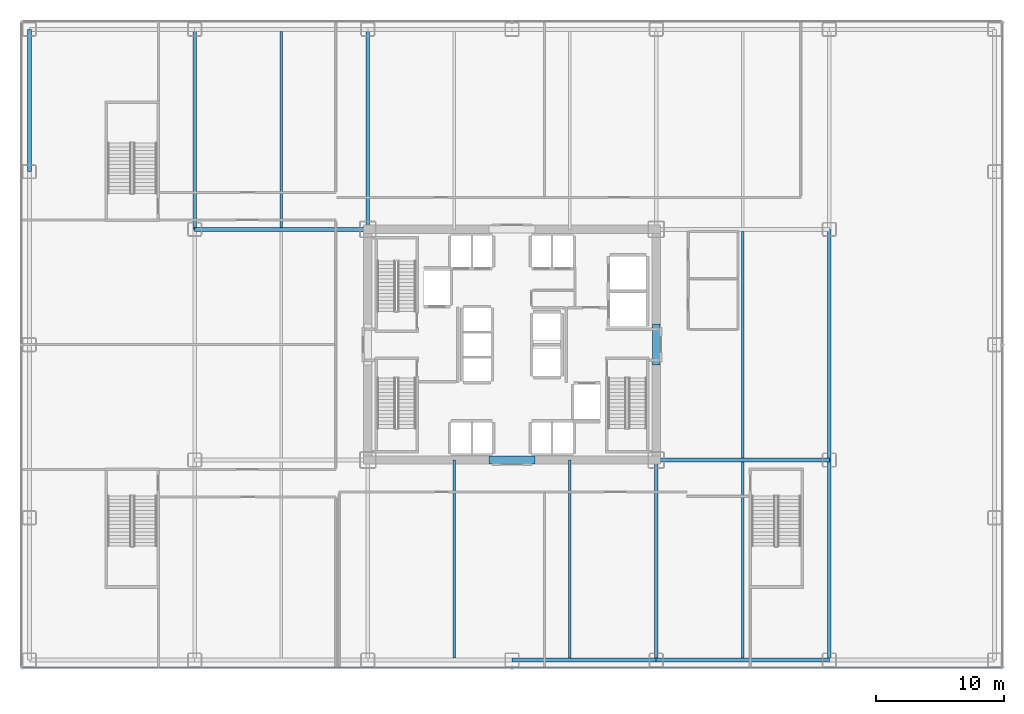
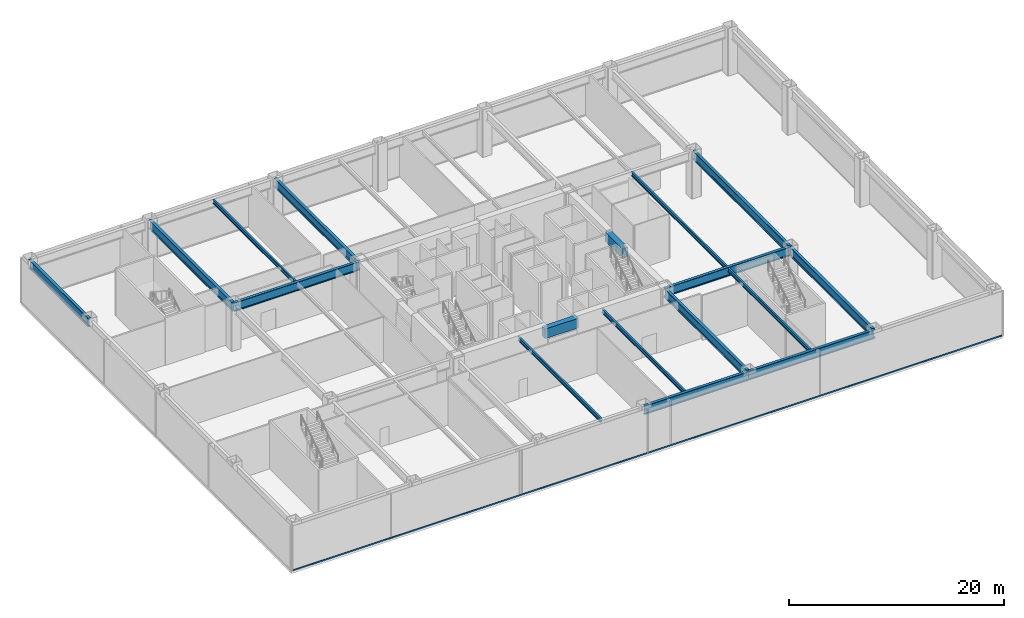
# One storey, part 7 of 24: 17 beams, 1 member, 1 element without a shape of its own.
"""IFC4 building model written with IfcOpenShell, lengths in metres."""

from ifc_helpers import new_model, si_unit, direction, frame, origin, origin_2d, place, context, subcontext, project, spatial, rectangle, hollow_rectangle, i_section, extrude, source, transform, mapped, material, layer, layer_set, material_profile, profile_set, type_object, element, aggregate, save


model = new_model("IFC4")

# Units and contexts
model_context = context("Model", 3, precision=1e-05, world=origin(), true_north=direction((0.0, 1.0)))
body_context = subcontext(model_context, "Body", "Model", "MODEL_VIEW")
ifc_project = project(units=[si_unit("LENGTHUNIT", "METRE"), si_unit("AREAUNIT", "SQUARE_METRE"), si_unit("VOLUMEUNIT", "CUBIC_METRE"), si_unit("PLANEANGLEUNIT", "RADIAN"), si_unit("MASSUNIT", "GRAM", prefix="KILO")], contexts=[model_context])

# Site, building, storey
site_placement = place(None, origin())
site = spatial("IfcSite", under=ifc_project, at=site_placement, CompositionType="ELEMENT")
building_placement = place(site_placement, origin())
building = spatial("IfcBuilding", under=site, at=building_placement, Name="Nefas-Gora Pilgrimage Tower", CompositionType="ELEMENT")
storey_placement = place(building_placement, frame((0.0, 0.0, 16.800048828125)))
storey = spatial("IfcBuildingStorey", under=building, at=storey_placement, Name="L03", CompositionType="ELEMENT", Elevation=16.800048828125)

# Beams
ifc_material_1 = material(Name="Concrete C60/75", Category="concrete")
ifc_material_profile_1 = material_profile(ifc_material_1, rectangle(XDim=0.60009765625, YDim=1.10009765625, at=origin_2d()), Name="RC 600x1100")
ifc_profile_set_1 = profile_set([ifc_material_profile_1], Name="Concrete C60/75")
beam_type_1 = type_object("IfcBeamType", Name="BM-LIN-RC1100", PredefinedType="LINTEL", material=ifc_profile_set_1)
shared_shape_1 = source(origin(), body_context, "Body", "SweptSolid", [
    extrude(rectangle(XDim=0.60009765625, YDim=1.10009765625, at=origin_2d()), origin(), (0.0, 0.0, 1.0), 3.60009765625),
])
beam_1_placement = place(storey_placement, frame((-1.800048828125, -9.0, 4.550048828125), z_axis=(1.0, 0.0, 0.0), x_axis=(0.0, 1.0, 0.0)))
element("IfcBeam", 1, at=beam_1_placement, inside=storey, type_object=beam_type_1, Name="L03 Core Coupling Lintel Beam S", PredefinedType="LINTEL", context=body_context, shape_type="MappedRepresentation", body=[
    mapped(shared_shape_1, transform((0.0, 0.0, 0.0), x_axis=(1.0, 0.0, 0.0), y_axis=(0.0, 1.0, 0.0), z_axis=(0.0, 0.0, 1.0), scale=1.0)),
])
shared_shape_2 = source(origin(), body_context, "Body", "SweptSolid", [
    extrude(rectangle(XDim=0.60009765625, YDim=1.10009765625, at=origin_2d()), origin(), (0.0, 0.0, 1.0), 3.2001953125),
])
beam_2_placement = place(storey_placement, frame((11.25, -1.60009765625, 4.550048828125), z_axis=(0.0, 1.0, 0.0), x_axis=(-1.0, 0.0, 0.0)))
element("IfcBeam", 2, at=beam_2_placement, inside=storey, type_object=beam_type_1, Name="L03 Core Coupling Lintel Beam E", PredefinedType="LINTEL", context=body_context, shape_type="MappedRepresentation", body=[
    mapped(shared_shape_2, transform((0.0, 0.0, 0.0), x_axis=(1.0, 0.0, 0.0), y_axis=(0.0, 1.0, 0.0), z_axis=(0.0, 0.0, 1.0), scale=1.0)),
])
ifc_material_2 = material(Name="Steel S355", Category="steel")
ifc_material_profile_2 = material_profile(ifc_material_2, i_section(OverallWidth=0.18994140625, OverallDepth=0.449951171875, WebThickness=0.009521484375, FlangeThickness=0.0146484375, FilletRadius=0.02099609375, at=origin_2d()), Name="IPE 450")
ifc_profile_set_2 = profile_set([ifc_material_profile_2], Name="Steel S355")
beam_type_2 = type_object("IfcBeamType", Name="BM-JST-IPE450", PredefinedType="JOIST", material=ifc_profile_set_2)
shared_shape_3 = source(origin(), body_context, "Body", "SweptSolid", [
    extrude(i_section(OverallWidth=0.18994140625, OverallDepth=0.449951171875, WebThickness=0.009521484375, FlangeThickness=0.0146484375, FilletRadius=0.02099609375, at=origin_2d()), origin(), (0.0, 0.0, 1.0), 17.68798828125),
])
beam_3_placement = place(storey_placement, frame((18.0, -8.843994140625, 4.875), z_axis=(0.0, 1.0, 0.0), x_axis=(-1.0, 0.0, 0.0)))
element("IfcBeam", 3, at=beam_3_placement, inside=storey, type_object=beam_type_2, Name="L03 J-01 beam", PredefinedType="JOIST", context=body_context, shape_type="MappedRepresentation", body=[
    mapped(shared_shape_3, transform((0.0, 0.0, 0.0), x_axis=(1.0, 0.0, 0.0), y_axis=(0.0, 1.0, 0.0), z_axis=(0.0, 0.0, 1.0), scale=1.0)),
])
shared_shape_4 = source(origin(), body_context, "Body", "SweptSolid", [
    extrude(i_section(OverallWidth=0.18994140625, OverallDepth=0.449951171875, WebThickness=0.009521484375, FlangeThickness=0.0146484375, FilletRadius=0.02099609375, at=origin_2d()), origin(), (0.0, 0.0, 1.0), 15.2880859375),
])
for number, where, z_axis, x_axis, name in (
    (4, (-18.0, 9.156005859375, 4.875), (0.0, 1.0, 0.0), (-1.0, 0.0, 0.0), "L03 J-01 beam"),
    (5, (18.0, -24.444091796875, 4.875), (0.0, 1.0, 0.0), (-1.0, 0.0, 0.0), "L03 J-01 beam"),
):
    element("IfcBeam", number, at=place(storey_placement, frame(where, z_axis=z_axis, x_axis=x_axis)), inside=storey, type_object=beam_type_2, Name=name, PredefinedType="JOIST", context=body_context, shape_type="MappedRepresentation", body=[
        mapped(shared_shape_4, transform((0.0, 0.0, 0.0), x_axis=(1.0, 0.0, 0.0), y_axis=(0.0, 1.0, 0.0), z_axis=(0.0, 0.0, 1.0), scale=1.0)),
    ])
shared_shape_5 = source(origin(), body_context, "Body", "SweptSolid", [
    extrude(i_section(OverallWidth=0.18994140625, OverallDepth=0.449951171875, WebThickness=0.009521484375, FlangeThickness=0.0146484375, FilletRadius=0.02099609375, at=origin_2d()), origin(), (0.0, 0.0, 1.0), 15.444091796875),
])
for number, where, z_axis, x_axis, name in (
    (6, (-4.5, -24.444091796875, 4.875), (0.0, 1.0, 0.0), (-1.0, 0.0, 0.0), "L03 J-01 beam"),
    (7, (4.5, -24.444091796875, 4.875), (0.0, 1.0, 0.0), (-1.0, 0.0, 0.0), "L03 J-01 beam"),
):
    element("IfcBeam", number, at=place(storey_placement, frame(where, z_axis=z_axis, x_axis=x_axis)), inside=storey, type_object=beam_type_2, Name=name, PredefinedType="JOIST", context=body_context, shape_type="MappedRepresentation", body=[
        mapped(shared_shape_5, transform((0.0, 0.0, 0.0), x_axis=(1.0, 0.0, 0.0), y_axis=(0.0, 1.0, 0.0), z_axis=(0.0, 0.0, 1.0), scale=1.0)),
    ])
ifc_material_3 = material(Name="Steel S460", Category="steel")
ifc_material_profile_3 = material_profile(ifc_material_3, i_section(OverallWidth=0.300048828125, OverallDepth=1.0, WebThickness=0.01904296875, FlangeThickness=0.035888671875, FilletRadius=0.030029296875, at=origin_2d()), Name="HEB 1000")
ifc_profile_set_3 = profile_set([ifc_material_profile_3], Name="Steel S460")
beam_type_3 = type_object("IfcBeamType", Name="BM-POD-HEB1000E", PredefinedType="BEAM", material=ifc_profile_set_3)
shared_shape_6 = source(origin(), body_context, "Body", "SweptSolid", [
    extrude(i_section(OverallWidth=0.300048828125, OverallDepth=1.0, WebThickness=0.01904296875, FlangeThickness=0.035888671875, FilletRadius=0.030029296875, at=origin_2d()), origin(), (0.0, 0.0, 1.0), 13.5),
])
beam_4_placement = place(storey_placement, frame((11.25, -24.60009765625, 4.599853515625), z_axis=(1.0, 0.0, 0.0), x_axis=(0.0, 1.0, 0.0)))
element("IfcBeam", 8, at=beam_4_placement, inside=storey, type_object=beam_type_3, Name="L03 PG-01E beam", PredefinedType="BEAM", context=body_context, shape_type="MappedRepresentation", body=[
    mapped(shared_shape_6, transform((0.0, 0.0, 0.0), x_axis=(1.0, 0.0, 0.0), y_axis=(0.0, 1.0, 0.0), z_axis=(0.0, 0.0, 1.0), scale=1.0)),
])
shared_shape_7 = source(origin(), body_context, "Body", "SweptSolid", [
    extrude(i_section(OverallWidth=0.300048828125, OverallDepth=1.0, WebThickness=0.01904296875, FlangeThickness=0.035888671875, FilletRadius=0.030029296875, at=origin_2d()), origin(), (0.0, 0.0, 1.0), 11.25),
])
beam_5_placement = place(storey_placement, frame((0.0, -24.60009765625, 4.599853515625), z_axis=(1.0, 0.0, 0.0), x_axis=(0.0, 1.0, 0.0)))
element("IfcBeam", 9, at=beam_5_placement, inside=storey, type_object=beam_type_3, Name="L03 PG-01E beam", PredefinedType="BEAM", context=body_context, shape_type="MappedRepresentation", body=[
    mapped(shared_shape_7, transform((0.0, 0.0, 0.0), x_axis=(1.0, 0.0, 0.0), y_axis=(0.0, 1.0, 0.0), z_axis=(0.0, 0.0, 1.0), scale=1.0)),
])
shared_shape_8 = source(origin(), body_context, "Body", "SweptSolid", [
    extrude(i_section(OverallWidth=0.300048828125, OverallDepth=1.0, WebThickness=0.01904296875, FlangeThickness=0.035888671875, FilletRadius=0.030029296875, at=origin_2d()), origin(), (0.0, 0.0, 1.0), 11.10009765625),
])
beam_6_placement = place(storey_placement, frame((-37.64990234375, 13.5, 4.599853515625), z_axis=(0.0, 1.0, 0.0), x_axis=(-1.0, 0.0, 0.0)))
element("IfcBeam", 10, at=beam_6_placement, inside=storey, type_object=beam_type_3, Name="L03 PG-01E beam", PredefinedType="BEAM", context=body_context, shape_type="MappedRepresentation", body=[
    mapped(shared_shape_8, transform((0.0, 0.0, 0.0), x_axis=(1.0, 0.0, 0.0), y_axis=(0.0, 1.0, 0.0), z_axis=(0.0, 0.0, 1.0), scale=1.0)),
])
ifc_material_profile_4 = material_profile(ifc_material_3, i_section(OverallWidth=0.300048828125, OverallDepth=1.0, WebThickness=0.01904296875, FlangeThickness=0.035888671875, FilletRadius=0.030029296875, at=origin_2d()), Name="HEB 1000")
ifc_profile_set_4 = profile_set([ifc_material_profile_4], Name="Steel S460")
beam_type_4 = type_object("IfcBeamType", Name="BM-POD-HEB1000", PredefinedType="BEAM", material=ifc_profile_set_4)
shared_shape_9 = source(origin(), body_context, "Body", "SweptSolid", [
    extrude(i_section(OverallWidth=0.300048828125, OverallDepth=1.0, WebThickness=0.01904296875, FlangeThickness=0.035888671875, FilletRadius=0.030029296875, at=origin_2d()), origin(), (0.0, 0.0, 1.0), 13.5),
])
for number, where, z_axis, x_axis, name in (
    (11, (11.25, -9.0, 4.599853515625), (1.0, 0.0, 0.0), (0.0, 1.0, 0.0), "L03 PG-01 beam"),
    (12, (-24.75, 9.0, 4.599853515625), (1.0, 0.0, 0.0), (0.0, 1.0, 0.0), "L03 PG-01 beam"),
):
    element("IfcBeam", number, at=place(storey_placement, frame(where, z_axis=z_axis, x_axis=x_axis)), inside=storey, type_object=beam_type_4, Name=name, PredefinedType="BEAM", context=body_context, shape_type="MappedRepresentation", body=[
        mapped(shared_shape_9, transform((0.0, 0.0, 0.0), x_axis=(1.0, 0.0, 0.0), y_axis=(0.0, 1.0, 0.0), z_axis=(0.0, 0.0, 1.0), scale=1.0)),
    ])
shared_shape_10 = source(origin(), body_context, "Body", "SweptSolid", [
    extrude(i_section(OverallWidth=0.300048828125, OverallDepth=1.0, WebThickness=0.01904296875, FlangeThickness=0.035888671875, FilletRadius=0.030029296875, at=origin_2d()), origin(), (0.0, 0.0, 1.0), 15.60009765625),
])
for number, where, z_axis, x_axis, name in (
    (13, (-24.75, 9.0, 4.599853515625), (0.0, 1.0, 0.0), (-1.0, 0.0, 0.0), "L03 PG-01 beam"),
    (14, (-11.25, 9.0, 4.599853515625), (0.0, 1.0, 0.0), (-1.0, 0.0, 0.0), "L03 PG-01 beam"),
    (15, (11.25, -24.60009765625, 4.599853515625), (0.0, 1.0, 0.0), (-1.0, 0.0, 0.0), "L03 PG-01 beam"),
    (16, (24.75, -24.60009765625, 4.599853515625), (0.0, 1.0, 0.0), (-1.0, 0.0, 0.0), "L03 PG-01 beam"),
):
    element("IfcBeam", number, at=place(storey_placement, frame(where, z_axis=z_axis, x_axis=x_axis)), inside=storey, type_object=beam_type_4, Name=name, PredefinedType="BEAM", context=body_context, shape_type="MappedRepresentation", body=[
        mapped(shared_shape_10, transform((0.0, 0.0, 0.0), x_axis=(1.0, 0.0, 0.0), y_axis=(0.0, 1.0, 0.0), z_axis=(0.0, 0.0, 1.0), scale=1.0)),
    ])
shared_shape_11 = source(origin(), body_context, "Body", "SweptSolid", [
    extrude(i_section(OverallWidth=0.300048828125, OverallDepth=1.0, WebThickness=0.01904296875, FlangeThickness=0.035888671875, FilletRadius=0.030029296875, at=origin_2d()), origin(), (0.0, 0.0, 1.0), 18.0),
])
beam_7_placement = place(storey_placement, frame((24.75, -9.0, 4.599853515625), z_axis=(0.0, 1.0, 0.0), x_axis=(-1.0, 0.0, 0.0)))
element("IfcBeam", 17, at=beam_7_placement, inside=storey, type_object=beam_type_4, Name="L03 PG-01 beam", PredefinedType="BEAM", context=body_context, shape_type="MappedRepresentation", body=[
    mapped(shared_shape_11, transform((0.0, 0.0, 0.0), x_axis=(1.0, 0.0, 0.0), y_axis=(0.0, 1.0, 0.0), z_axis=(0.0, 0.0, 1.0), scale=1.0)),
])

# Curtain wall, member
ifc_material_4 = material(Name="Dark ceramic-fritted solar-control aluminium-glass curtain wall", Category="aluminium")
ifc_layer = layer(ifc_material_4, 0.219970703125)
ifc_layer_set = layer_set([ifc_layer], Name="Dark ceramic-fritted solar-control aluminium-glass curtain wall")
curtain_wall_type = type_object("IfcCurtainWallType", Name="CW-SYS-1", PredefinedType="NOTDEFINED", material=ifc_layer_set)
curtain_wall_placement = place(storey_placement, origin())
curtain_wall = element("IfcCurtainWall", 18, at=curtain_wall_placement, inside=storey, type_object=curtain_wall_type, Name="L03 Unitised Curtain Wall CW1", PredefinedType="NOTDEFINED")
ifc_material_5 = material(Name="Anodised architectural aluminium", Category="aluminium")
ifc_material_profile_5 = material_profile(ifc_material_5, hollow_rectangle(XDim=0.080078125, YDim=0.159912109375, WallThickness=0.00439453125, InnerFilletRadius=0.00439453125, OuterFilletRadius=0.009033203125, at=origin_2d()), Name="ALU TRANSOM 80x160")
ifc_profile_set_5 = profile_set([ifc_material_profile_5], Name="Anodised architectural aluminium")
member_type = type_object("IfcMemberType", Name="CWM-TRN-1", PredefinedType="USERDEFINED", material=ifc_profile_set_5)
shared_shape_12 = source(origin(), body_context, "Body", "SweptSolid", [
    extrude(hollow_rectangle(XDim=0.080078125, YDim=0.159912109375, WallThickness=0.00439453125, InnerFilletRadius=0.00439453125, OuterFilletRadius=0.009033203125, at=origin_2d()), origin(), (0.0, 0.0, 1.0), 76.31982421875),
])
member_placement = place(storey_placement, frame((-38.159912109375, -25.199951171875, 0.050048828125), z_axis=(1.0, 0.0, 0.0), x_axis=(0.0, 1.0, 0.0)))
member = element("IfcMember", 19, at=member_placement, type_object=member_type, Name="CW1 Spandrel Transom", ObjectType="TRANSOM", PredefinedType="USERDEFINED", context=body_context, shape_type="MappedRepresentation", body=[
    mapped(shared_shape_12, transform((0.0, 0.0, 0.0), x_axis=(1.0, 0.0, 0.0), y_axis=(0.0, 1.0, 0.0), z_axis=(0.0, 0.0, 1.0), scale=1.0)),
])
aggregate(curtain_wall, [member])

save(model, "model.ifc")
